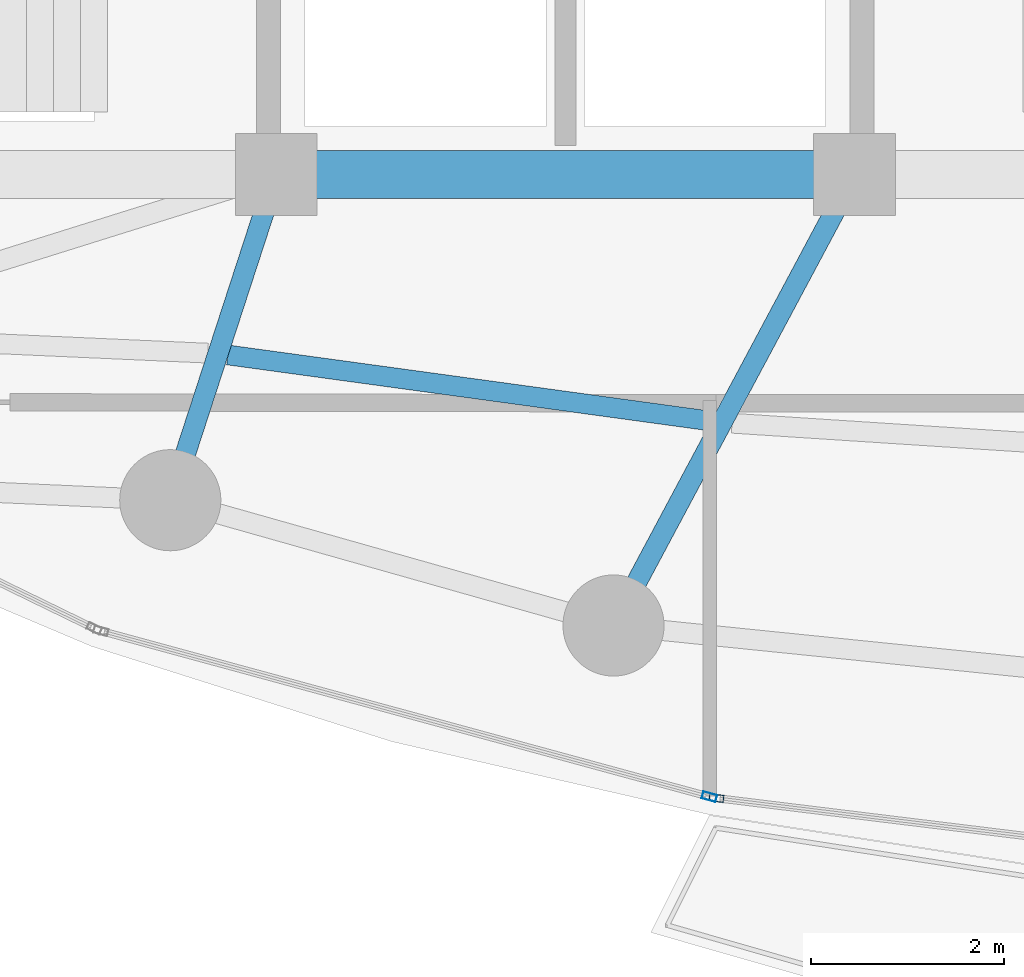
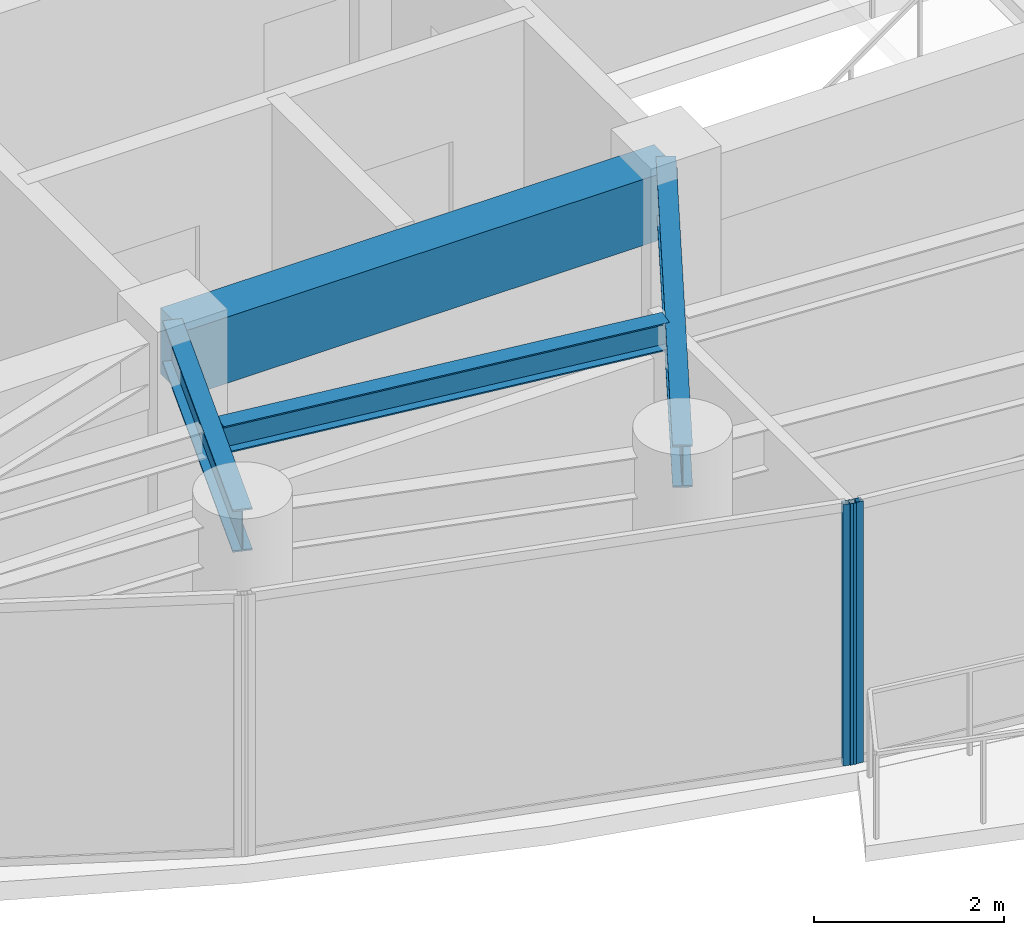
# One storey, part 5 of 30: 4 beams, 2 members, 2 elements without a shape of their own.
"""IFC4 building model written with IfcOpenShell, lengths in metres."""

from ifc_helpers import new_model, si_unit, direction, frame, origin, origin_2d, place, context, subcontext, project, spatial, rectangle, hollow_rectangle, i_section, extrude, material, layer, layer_set, material_profile, profile_set, type_object, element, aggregate, save


model = new_model("IFC4")

# Units and contexts
model_context = context("Model", 3, precision=1e-05, world=origin(), true_north=direction((0.0, 1.0)))
body_context = subcontext(model_context, "Body", "Model", "MODEL_VIEW")
ifc_project = project(units=[si_unit("LENGTHUNIT", "METRE"), si_unit("AREAUNIT", "SQUARE_METRE"), si_unit("VOLUMEUNIT", "CUBIC_METRE"), si_unit("PLANEANGLEUNIT", "RADIAN"), si_unit("MASSUNIT", "GRAM", prefix="KILO")], contexts=[model_context])

# Site, building, storey
site_placement = place(None, origin())
site = spatial("IfcSite", under=ifc_project, at=site_placement, CompositionType="ELEMENT")
building_placement = place(site_placement, origin())
building = spatial("IfcBuilding", under=site, at=building_placement, Name="Kazevale Care Tower and Concert Hall", CompositionType="ELEMENT")
storey_placement = place(building_placement, frame((0.0, 0.0, 242.39990234375)))
storey = spatial("IfcBuildingStorey", under=building, at=storey_placement, Name="L64", CompositionType="ELEMENT", Elevation=242.39990234375)

# Curtain wall, member
ifc_material_1 = material(Name="Aluminium 6063-T6 and Low-E Glass", Category="aluminium")
ifc_layer = layer(ifc_material_1, 0.179931640625)
ifc_layer_set = layer_set([ifc_layer], Name="Aluminium 6063-T6 and Low-E Glass")
curtain_wall_type = type_object("IfcCurtainWallType", Name="Sheltered Concave Balcony Curtain Wall CW-5", PredefinedType="NOTDEFINED", material=ifc_layer_set)
curtain_wall_1_placement = place(storey_placement, origin())
curtain_wall_1 = element("IfcCurtainWall", 1, at=curtain_wall_1_placement, inside=storey, type_object=curtain_wall_type, Name="cw:L64:f07", PredefinedType="NOTDEFINED")
ifc_material_2 = material(Name="Aluminium 6063-T6", Category="aluminium")
ifc_material_profile_1 = material_profile(ifc_material_2, hollow_rectangle(XDim=0.074951171875, YDim=0.14990234375, WallThickness=0.00390625, at=origin_2d()), Name="ALU75x150x4")
ifc_profile_set_1 = profile_set([ifc_material_profile_1], Name="Aluminium 6063-T6")
member_type = type_object("IfcMemberType", Name="CW-5 Mullion ALU75x150x4", PredefinedType="MULLION", material=ifc_profile_set_1)
member_1_placement = place(storey_placement, frame((34.568115234375, 17.12841796875, 0.0), z_axis=(0.0, 0.0, 1.0), x_axis=(-0.121650797964, -0.992572961225, 0.0)))
member_1 = element("IfcMember", 2, at=member_1_placement, type_object=member_type, Name="CW-5 mullion 2", PredefinedType="MULLION", context=body_context, shape_type="SweptSolid", body=[
    extrude(hollow_rectangle(XDim=0.074951171875, YDim=0.14990234375, WallThickness=0.00390625, at=origin_2d()), origin(), (0.0, 0.0, 1.0), 3.360107421875),
])
aggregate(curtain_wall_1, [member_1])

curtain_wall_2_placement = place(storey_placement, origin())
curtain_wall_2 = element("IfcCurtainWall", 3, at=curtain_wall_2_placement, inside=storey, type_object=curtain_wall_type, Name="cw:L64:f08", PredefinedType="NOTDEFINED")
member_2_placement = place(storey_placement, frame((34.494873046875, 17.142822265625, 0.0), z_axis=(0.0, 0.0, 1.0), x_axis=(-0.262848968947, -0.964836991167, 0.0)))
member_2 = element("IfcMember", 4, at=member_2_placement, type_object=member_type, Name="CW-5 mullion 1", PredefinedType="MULLION", context=body_context, shape_type="SweptSolid", body=[
    extrude(hollow_rectangle(XDim=0.074951171875, YDim=0.14990234375, WallThickness=0.00390625, at=origin_2d()), origin(), (0.0, 0.0, 1.0), 3.360107421875),
])
aggregate(curtain_wall_2, [member_2])

# Beams
ifc_material_3 = material(Name="Concrete C60", Category="concrete")
ifc_material_profile_2 = material_profile(ifc_material_3, rectangle(XDim=0.5, YDim=0.85009765625, at=origin_2d()), Name="RC-B500x850")
ifc_profile_set_2 = profile_set([ifc_material_profile_2], Name="Concrete C60")
beam_type_1 = type_object("IfcBeamType", Name="Core Coupling Beam RC500x850", PredefinedType="LINTEL", material=ifc_profile_set_2)
beam_1_placement = place(storey_placement, frame((30.0, 23.60009765625, 2.93505859375), z_axis=(1.0, 0.0, 0.0), x_axis=(0.0, 1.0, 0.0)))
element("IfcBeam", 5, at=beam_1_placement, inside=storey, type_object=beam_type_1, Name="beam:L64:coretie:2", PredefinedType="LINTEL", context=body_context, shape_type="SweptSolid", body=[
    extrude(rectangle(XDim=0.5, YDim=0.85009765625, at=origin_2d()), origin(), (0.0, 0.0, 1.0), 6.0),
])
ifc_material_4 = material(Name="Steel ASTM A572 Gr 50", Category="steel")
ifc_material_profile_3 = material_profile(ifc_material_4, i_section(OverallWidth=0.2119140625, OverallDepth=0.5439453125, WebThickness=0.01318359375, FlangeThickness=0.021240234375, at=origin_2d()), Name="W530x123")
ifc_profile_set_3 = profile_set([ifc_material_profile_3], Name="Steel ASTM A572 Gr 50")
beam_type_2 = type_object("IfcBeamType", Name="Radial Floor Girder W530x123", PredefinedType="BEAM", material=ifc_profile_set_3)
beam_2_placement = place(storey_placement, frame((30.0, 23.60009765625, 3.088134765625), z_axis=(-0.309482065101, -0.950905279921, 0.0), x_axis=(0.950905279921, -0.309482065101, 0.0)))
element("IfcBeam", 6, at=beam_2_placement, inside=storey, type_object=beam_type_2, Name="beam:L64:rad:11", PredefinedType="BEAM", context=body_context, shape_type="SweptSolid", body=[
    extrude(i_section(OverallWidth=0.2119140625, OverallDepth=0.5439453125, WebThickness=0.01318359375, FlangeThickness=0.021240234375, at=origin_2d()), origin(), (0.0, 0.0, 1.0), 3.5546875),
])
beam_3_placement = place(storey_placement, frame((36.0, 23.60009765625, 3.088134765625), z_axis=(-0.471161293943, -0.88204707079, 0.0), x_axis=(0.88204707079, -0.471161293943, 0.0)))
element("IfcBeam", 7, at=beam_3_placement, inside=storey, type_object=beam_type_2, Name="beam:L64:rad:12", PredefinedType="BEAM", context=body_context, shape_type="SweptSolid", body=[
    extrude(i_section(OverallWidth=0.2119140625, OverallDepth=0.5439453125, WebThickness=0.01318359375, FlangeThickness=0.021240234375, at=origin_2d()), origin(), (0.0, 0.0, 1.0), 5.30615234375),
])
ifc_material_profile_4 = material_profile(ifc_material_4, i_section(OverallWidth=0.205078125, OverallDepth=0.35400390625, WebThickness=0.009521484375, FlangeThickness=0.016845703125, at=origin_2d()), Name="W360x79")
ifc_profile_set_4 = profile_set([ifc_material_profile_4], Name="Steel ASTM A572 Gr 50")
beam_type_3 = type_object("IfcBeamType", Name="Secondary Floor Joist W360x79", PredefinedType="JOIST", material=ifc_profile_set_4)
beam_4_placement = place(storey_placement, frame((29.4990234375, 21.72705078125, 3.18310546875), z_axis=(0.990772043119, -0.13553877148, 0.0), x_axis=(0.13553877148, 0.990772043119, 0.0)))
element("IfcBeam", 8, at=beam_4_placement, inside=storey, type_object=beam_type_3, Name="beam:L64:joist:11", PredefinedType="JOIST", context=body_context, shape_type="SweptSolid", body=[
    extrude(i_section(OverallWidth=0.205078125, OverallDepth=0.35400390625, WebThickness=0.009521484375, FlangeThickness=0.016845703125, at=origin_2d()), origin(), (0.0, 0.0, 1.0), 5.06884765625),
])

save(model, "model.ifc")
